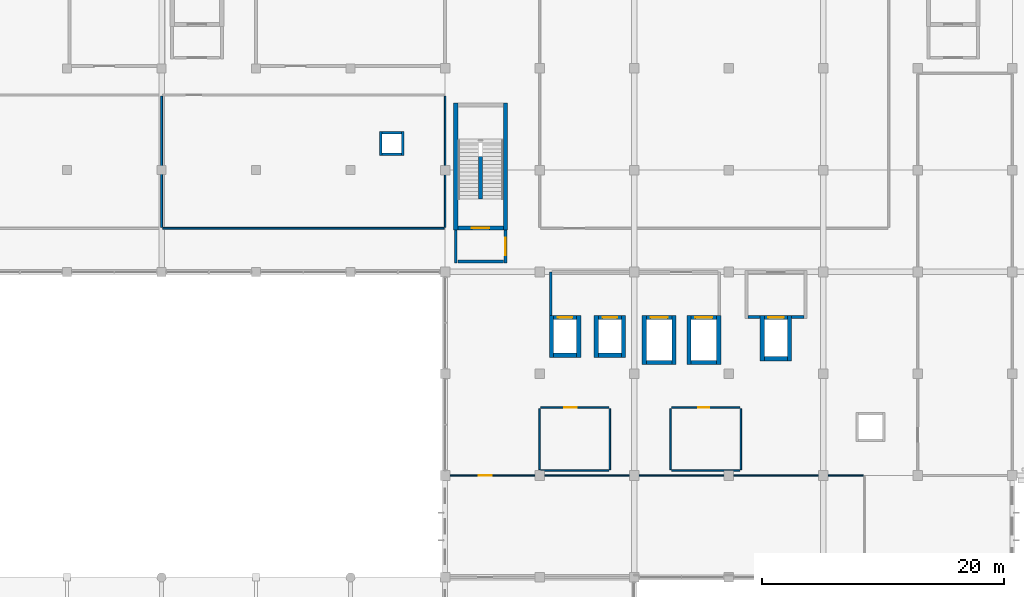
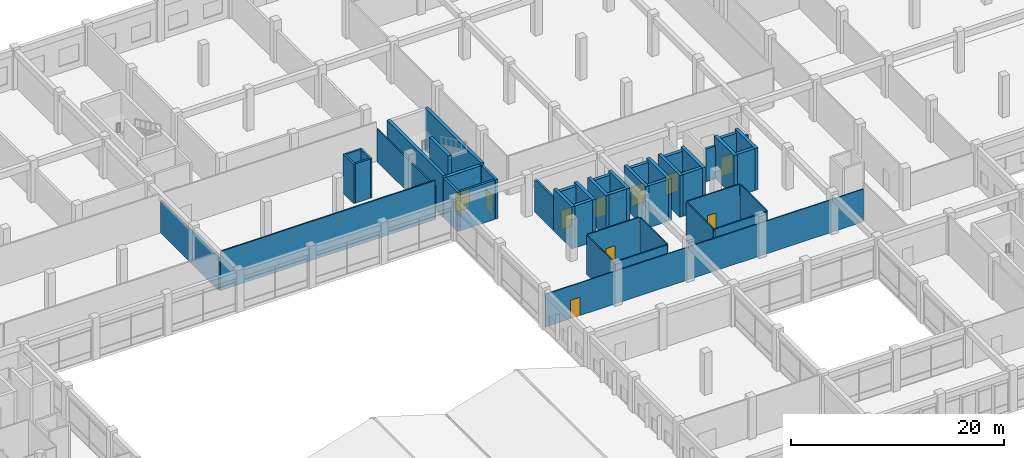
# One storey, part 43 of 62: 46 walls, 10 doors, 10 openings.
"""IFC4 building model written with IfcOpenShell, lengths in metres."""

import ifcopenshell
import ifcopenshell.guid

model = None  # the IFC model being written
_history = None  # IfcOwnerHistory: only IFC2X3 demands one
_inside = {}  # id of a spatial element -> (the spatial element, [elements in it])
_under = {}  # id of a project, library or spatial element -> (it, [spatial elements below it])
_declared = {}  # id of a project -> (the project, [libraries it declares])
_typed = {}  # id of a type object -> (the type object, [elements of that type])
_made_of = {}  # id of a material, layer set ... -> (it, [elements and type objects made of it])


def new_model(schema):
    """Start an empty IFC model of exactly this schema.

    Asked for "IFC4X3", IfcOpenShell would pick the latest addendum, in which some entities
    have other attributes; the version numbers below select the first issue.
    IFC2X3 requires an IfcOwnerHistory on every rooted entity: one is made here for all.
    """
    global model, _history
    if schema == "IFC4X3":
        model = ifcopenshell.file(schema_version=(4, 3, 0, 0))
    else:
        model = ifcopenshell.file(schema=schema)
    _inside.clear()
    _under.clear()
    _declared.clear()
    _typed.clear()
    _made_of.clear()
    _history = None
    if model.schema == "IFC2X3":
        org = make("IfcOrganization", Name="unknown")
        user = make(
            "IfcPersonAndOrganization",
            ThePerson=make("IfcPerson", FamilyName="unknown"),
            TheOrganization=org,
        )
        app = make(
            "IfcApplication",
            ApplicationDeveloper=org,
            Version="unknown",
            ApplicationFullName="unknown",
            ApplicationIdentifier="unknown",
        )
        _history = make(
            "IfcOwnerHistory",
            OwningUser=user,
            OwningApplication=app,
            ChangeAction="ADDED",
            CreationDate=0,
        )
    return model


def make(cls, **values):
    """One entity of the class cls with the attributes given. An attribute that is None is left unset."""
    return model.create_entity(
        cls, **{name: value for name, value in values.items() if value is not None}
    )


def rooted(cls, **values):
    """An entity with a GlobalId (a new one), such as an element, a storey or a relation."""
    return make(cls, GlobalId=ifcopenshell.guid.new(), OwnerHistory=_history, **values)


def si_unit(unit_type, name, prefix=None):
    """IfcSIUnit, for example si_unit("LENGTHUNIT", "METRE", prefix="MILLI")."""
    return make("IfcSIUnit", UnitType=unit_type, Prefix=prefix, Name=name)


def assignment(units):
    """IfcUnitAssignment: the units of a project."""
    return None if units is None else make("IfcUnitAssignment", Units=units)


def point(xyz):
    """IfcCartesianPoint."""
    return None if xyz is None else make("IfcCartesianPoint", Coordinates=xyz)


def direction(xyz):
    """IfcDirection."""
    return None if xyz is None else make("IfcDirection", DirectionRatios=xyz)


def frame(location, z_axis=None, x_axis=None):
    """IfcAxis2Placement3D, a coordinate frame: its origin and axes. An axis left out is left unset."""
    return make(
        "IfcAxis2Placement3D",
        Location=point(location),
        Axis=direction(z_axis),
        RefDirection=direction(x_axis),
    )


def frame_2d(location, x_axis=None):
    """IfcAxis2Placement2D, a coordinate frame in the plane: its origin and x axis."""
    return make(
        "IfcAxis2Placement2D", Location=point(location), RefDirection=direction(x_axis)
    )


def origin():
    """The frame at (0, 0, 0) with its axes left unset."""
    return frame((0.0, 0.0, 0.0))


def place(relative_to, where):
    """IfcLocalPlacement: puts the frame where relative to a parent placement (None: the world)."""
    return make(
        "IfcLocalPlacement", PlacementRelTo=relative_to, RelativePlacement=where
    )


def context(
    kind, dimensions, precision=None, world=None, true_north=None, identifier=None
):
    """IfcGeometricRepresentationContext, for example the 3D "Model" context."""
    return make(
        "IfcGeometricRepresentationContext",
        ContextIdentifier=identifier,
        ContextType=kind,
        CoordinateSpaceDimension=dimensions,
        Precision=precision,
        WorldCoordinateSystem=world,
        TrueNorth=true_north,
    )


def subcontext(parent, identifier, kind, view, scale=None):
    """IfcGeometricRepresentationSubContext, for example "Body" below "Model"."""
    return make(
        "IfcGeometricRepresentationSubContext",
        ContextIdentifier=identifier,
        ContextType=kind,
        ParentContext=parent,
        TargetScale=scale,
        TargetView=view,
    )


def project(units=None, contexts=None):
    """IfcProject with its units and contexts."""
    return rooted(
        "IfcProject",
        Name="project",
        RepresentationContexts=contexts,
        UnitsInContext=assignment(units),
    )


def spatial(cls, under=None, at=None, **own):
    """A site, building, storey or space (cls), placed at a placement, below another one or the project."""
    s = rooted(cls, ObjectPlacement=at, **own)
    if under is not None:
        _under.setdefault(under.id(), (under, []))[1].append(s)
    return s


def profile(cls, at=None, kind="AREA", **sizes):
    """A parametric profile (cls). Its sizes go by their IFC names, for example OverallWidth=200.0."""
    return make(cls, ProfileType=kind, Position=at, **sizes)


def rectangle(**sizes):
    """IfcRectangleProfileDef."""
    return profile("IfcRectangleProfileDef", **sizes)


def extrude(swept, where, along, depth):
    """IfcExtrudedAreaSolid: the profile swept, set in the frame where, extruded along a direction by depth."""
    return make(
        "IfcExtrudedAreaSolid",
        SweptArea=swept,
        Position=where,
        ExtrudedDirection=direction(along),
        Depth=depth,
    )


def shape(context_of_items, identifier, shape_type, items):
    """IfcShapeRepresentation: the items that make up one representation, for example the "Body"."""
    return make(
        "IfcShapeRepresentation",
        ContextOfItems=context_of_items,
        RepresentationIdentifier=identifier,
        RepresentationType=shape_type,
        Items=items,
    )


def material(Name=None, Category=None):
    """IfcMaterial."""
    return make("IfcMaterial", Name=Name, Category=Category)


def layer(
    of_material, thickness, ventilated=None, Name=None, Category=None, Priority=None
):
    """IfcMaterialLayer: one layer of a wall or slab, of a material (None: an air gap)."""
    return make(
        "IfcMaterialLayer",
        Material=of_material,
        LayerThickness=thickness,
        IsVentilated=ventilated,
        Name=Name,
        Category=Category,
        Priority=Priority,
    )


def layer_set(layers, Name=None):
    """IfcMaterialLayerSet."""
    return make("IfcMaterialLayerSet", MaterialLayers=layers, LayerSetName=Name)


def made_of(thing, what):
    """Note that an element or type object is made of a material, layer set ...; save() writes the relation."""
    if what is not None:
        _made_of.setdefault(what.id(), (what, []))[1].append(thing)
    return thing


def type_object(cls, material=None, **own):
    """A type object (cls), such as IfcWallType, which elements share."""
    return made_of(rooted(cls, **own), material)


def element(
    cls,
    number,
    at=None,
    inside=None,
    cuts=None,
    type_object=None,
    material=None,
    context=None,
    identifier="Body",
    shape_type=None,
    held_by="IfcProductDefinitionShape",
    body=None,
    shapes=None,
    **own,
):
    """One element of the class cls, such as IfcWall. Its Tag is "e" and its number.

    at: its placement. inside: the storey or other place that contains it. cuts: it is an
    opening in that element (IfcRelVoidsElement). A single representation is given by context,
    identifier, shape_type and body (its items); several are given by shapes. held_by: the class
    of the entity that holds the representations. save() writes the other relations.
    """
    e = rooted(cls, Tag="e%d" % number, ObjectPlacement=at, **own)
    if body is not None:
        shapes = [shape(context, identifier, shape_type, body)]
    if shapes is not None:
        e.Representation = make(held_by, Representations=shapes)
    if inside is not None:
        _inside.setdefault(inside.id(), (inside, []))[1].append(e)
    if cuts is not None:
        rooted(
            "IfcRelVoidsElement", RelatingBuildingElement=cuts, RelatedOpeningElement=e
        )
    if type_object is not None:
        _typed.setdefault(type_object.id(), (type_object, []))[1].append(e)
    return made_of(e, material)


def fill(opening, filler):
    """IfcRelFillsElement: the door or window that sits in an opening."""
    return rooted(
        "IfcRelFillsElement",
        RelatingOpeningElement=opening,
        RelatedBuildingElement=filler,
    )


def aggregate(whole, parts):
    """IfcRelAggregates: a whole, such as a stair, and the parts it consists of."""
    return rooted("IfcRelAggregates", RelatingObject=whole, RelatedObjects=parts)


def save(model, path):
    """Write the relations noted so far, then the file.

    IfcRelAggregates (storeys below a building ...), IfcRelContainedInSpatialStructure (elements
    in a storey), IfcRelDefinesByType, IfcRelAssociatesMaterial and IfcRelDeclares: one each for
    every whole, place, type object, material and project.
    """
    for whole, parts in _under.values():
        aggregate(whole, parts)
    for where, things in _inside.values():
        rooted(
            "IfcRelContainedInSpatialStructure",
            RelatedElements=things,
            RelatingStructure=where,
        )
    for kind, things in _typed.values():
        rooted("IfcRelDefinesByType", RelatedObjects=things, RelatingType=kind)
    for what, things in _made_of.values():
        rooted("IfcRelAssociatesMaterial", RelatedObjects=things, RelatingMaterial=what)
    for by, libraries in _declared.values():
        rooted("IfcRelDeclares", RelatingContext=by, RelatedDefinitions=libraries)
    model.write(path)


model = new_model("IFC4")

# Units and contexts
model_context = context("Model", 3, precision=1e-05, world=origin(), true_north=direction((0.0, 1.0)))
body_context = subcontext(model_context, "Body", "Model", "MODEL_VIEW")
ifc_project = project(units=[si_unit("LENGTHUNIT", "METRE"), si_unit("AREAUNIT", "SQUARE_METRE"), si_unit("VOLUMEUNIT", "CUBIC_METRE"), si_unit("PLANEANGLEUNIT", "RADIAN"), si_unit("MASSUNIT", "GRAM", prefix="KILO"), si_unit("THERMODYNAMICTEMPERATUREUNIT", "KELVIN"), si_unit("POWERUNIT", "WATT")], contexts=[model_context])

# Site, building, storey
site_placement = place(None, origin())
site = spatial("IfcSite", under=ifc_project, at=site_placement, CompositionType="ELEMENT")
building_placement = place(site_placement, origin())
building = spatial("IfcBuilding", under=site, at=building_placement, Name="Srebrne Nadtorze General Hospital", CompositionType="ELEMENT")
storey_placement = place(building_placement, frame((0.0, 0.0, 9.60009765625)))
storey = spatial("IfcBuildingStorey", under=building, at=storey_placement, Name="L02", CompositionType="ELEMENT", Elevation=9.60009765625)

# Walls
ifc_material_1 = material(Name="Gypsum Healthcare Partition")
ifc_layer_1 = layer(ifc_material_1, 0.139892578125)
ifc_layer_set_1 = layer_set([ifc_layer_1], Name="Gypsum Healthcare Partition")
wall_type_1 = type_object("IfcWallType", Name="Clinical partition 140", PredefinedType="PARTITIONING", material=ifc_layer_set_1)
wall_1_placement = place(storey_placement, frame((78.0849609375, 54.0, 0.0), z_axis=(0.0, 0.0, 1.0), x_axis=(1.0, 0.0, 0.0)))
element("IfcWall", 1, at=wall_1_placement, inside=storey, type_object=wall_type_1, Name="Pre-Operative Holding Ward wall WL-INT-L02-1528", PredefinedType="PARTITIONING", context=body_context, shape_type="SweptSolid", body=[
    extrude(rectangle(XDim=23.22998046875, YDim=0.139892578125, at=frame_2d((11.614990234375, 0.0))), origin(), (0.0, 0.0, 1.0), 4.47998046875),
])
wall_2_placement = place(storey_placement, frame((101.39990234375, 54.0849609375, 0.0), z_axis=(0.0, 0.0, 1.0), x_axis=(0.0, 1.0, 0.0)))
element("IfcWall", 2, at=wall_2_placement, inside=storey, type_object=wall_type_1, Name="Pre-Operative Holding Ward wall WL-INT-L02-1529", PredefinedType="PARTITIONING", context=body_context, shape_type="SweptSolid", body=[
    extrude(rectangle(XDim=10.830078125, YDim=0.139892578125, at=frame_2d((5.4150390625, 0.0))), origin(), (0.0, 0.0, 1.0), 3.75),
])
ifc_material_2 = material(Name="Gypsum Healthcare Partition")
ifc_layer_2 = layer(ifc_material_2, 0.159912109375)
ifc_layer_set_2 = layer_set([ifc_layer_2], Name="Gypsum Healthcare Partition")
wall_type_2 = type_object("IfcWallType", Name="Clinical partition 160", PredefinedType="PARTITIONING", material=ifc_layer_set_2)
wall_3_placement = place(storey_placement, frame((78.0, 54.0849609375, 0.0), z_axis=(0.0, 0.0, 1.0), x_axis=(0.0, 1.0, 0.0)))
element("IfcWall", 3, at=wall_3_placement, inside=storey, type_object=wall_type_2, Name="Post-Anaesthesia Care Unit wall WL-INT-L02-1526", PredefinedType="PARTITIONING", context=body_context, shape_type="SweptSolid", body=[
    extrude(rectangle(XDim=10.830078125, YDim=0.159912109375, at=frame_2d((5.4150390625, 0.0))), origin(), (0.0, 0.0, 1.0), 3.75),
])
ifc_material_3 = material(Name="Gypsum Healthcare Partition")
ifc_layer_3 = layer(ifc_material_3, 0.199951171875)
ifc_layer_set_3 = layer_set([ifc_layer_3], Name="Gypsum Healthcare Partition")
wall_type_3 = type_object("IfcWallType", Name="Compartment wall 200", PredefinedType="STANDARD", material=ifc_layer_set_3)
wall_4_placement = place(storey_placement, frame((110.1298828125, 46.81005859375, 0.0), z_axis=(0.0, 0.0, 1.0), x_axis=(0.0, 1.0, 0.0)))
element("IfcWall", 4, at=wall_4_placement, inside=storey, type_object=wall_type_3, Name="Lift lobby side wall WL-INT-L02-0999", PredefinedType="STANDARD", context=body_context, shape_type="SweptSolid", body=[
    extrude(rectangle(XDim=3.58984375, YDim=0.199951171875, at=frame_2d((1.794921875, 0.0))), origin(), (0.0, 0.0, 1.0), 3.75),
])
for number, where, z_axis, x_axis, name in (
    (5, (96.10009765625, 60.0, 0.0), (0.0, 0.0, 1.0), (0.0, 1.0, 0.0), "MEP riser wall WL-INT-L02-1018"),
    (6, (97.89990234375, 60.0, 0.0), (0.0, 0.0, 1.0), (0.0, 1.0, 0.0), "MEP riser wall WL-INT-L02-1019"),
):
    element("IfcWall", number, at=place(storey_placement, frame(where, z_axis=z_axis, x_axis=x_axis)), inside=storey, type_object=wall_type_3, Name=name, PredefinedType="STANDARD", context=body_context, shape_type="SweptSolid", body=[
        extrude(rectangle(XDim=2.0, YDim=0.199951171875, at=frame_2d((1.0, 0.0))), origin(), (0.0, 0.0, 1.0), 4.5),
    ])
for number, where, z_axis, x_axis, name in (
    (7, (96.199951171875, 60.10009765625, 0.0), (0.0, 0.0, 1.0), (1.0, 0.0, 0.0), "MEP riser wall WL-INT-L02-1020"),
    (8, (96.199951171875, 61.89990234375, 0.0), (0.0, 0.0, 1.0), (1.0, 0.0, 0.0), "MEP riser wall WL-INT-L02-1021"),
):
    element("IfcWall", number, at=place(storey_placement, frame(where, z_axis=z_axis, x_axis=x_axis)), inside=storey, type_object=wall_type_3, Name=name, PredefinedType="STANDARD", context=body_context, shape_type="SweptSolid", body=[
        extrude(rectangle(XDim=1.60009765625, YDim=0.199951171875, at=frame_2d((0.800048828125, 0.0))), origin(), (0.0, 0.0, 1.0), 4.5),
    ])
ifc_material_4 = material(Name="Gypsum Healthcare Partition")
ifc_layer_4 = layer(ifc_material_4, 0.239990234375)
ifc_layer_set_4 = layer_set([ifc_layer_4], Name="Gypsum Healthcare Partition")
wall_type_4 = type_object("IfcWallType", Name="Corridor fire wall 240", PredefinedType="STANDARD", material=ifc_layer_set_4)
wall_5_placement = place(storey_placement, frame((102.27490234375, 51.155029296875, 0.0), z_axis=(0.0, 0.0, 1.0), x_axis=(0.0, 1.0, 0.0)))
element("IfcWall", 9, at=wall_5_placement, inside=storey, type_object=wall_type_4, Name="Fire lobby wall ST-03 WL-INT-L02-0213", PredefinedType="STANDARD", context=body_context, shape_type="SweptSolid", body=[
    extrude(rectangle(XDim=2.695068359375, YDim=0.239990234375, at=frame_2d((1.34765625, 0.0))), origin(), (0.0, 0.0, 1.0), 4.5),
])

# Wall, opening, door
wall_6_placement = place(storey_placement, frame((106.375, 51.155029296875, 0.0), z_axis=(0.0, 0.0, 1.0), x_axis=(0.0, 1.0, 0.0)))
wall_6 = element("IfcWall", 10, at=wall_6_placement, inside=storey, type_object=wall_type_4, Name="Fire lobby wall ST-03 WL-INT-L02-0214", PredefinedType="STANDARD", context=body_context, shape_type="SweptSolid", body=[
    extrude(rectangle(XDim=2.695068359375, YDim=0.239990234375, at=frame_2d((1.34765625, 0.0))), origin(), (0.0, 0.0, 1.0), 4.5),
])
opening_1_placement = place(wall_6_placement, frame((0.62255859375, 0.0, 0.0)))
opening_1 = element("IfcOpeningElement", 11, at=opening_1_placement, cuts=wall_6, Name="Opening D-L02-0054", PredefinedType="OPENING", context=body_context, shape_type="SweptSolid", body=[
    extrude(rectangle(XDim=1.449951171875, YDim=2.199951171875, at=frame_2d((0.72509765625, 1.10009765625))), frame((0.0, 0.1318359375, 0.0), z_axis=(0.0, -1.0, 0.0), x_axis=(1.0, 0.0, 0.0)), (0.0, 0.0, 1.0), 0.263916015625),
])
ifc_material_5 = material(Name="Anodised Aluminium", Category="aluminium")
door_type_1 = type_object("IfcDoorType", Name="Double leaf door 1450x2200", OperationType="DOUBLE_DOOR_SINGLE_SWING", PredefinedType="DOOR", material=ifc_material_5)
door_1_placement = place(opening_1_placement, origin())
door_1 = element("IfcDoor", 12, at=door_1_placement, inside=storey, type_object=door_type_1, Name="Fire lobby door ST-03 D-L02-0054", OperationType="DOUBLE_DOOR_SINGLE_SWING", OverallHeight=2.199951171875, OverallWidth=1.449951171875, PredefinedType="DOOR", context=body_context, shape_type="SweptSolid", body=[
    extrude(rectangle(XDim=1.449951171875, YDim=2.199951171875, at=frame_2d((0.72509765625, 1.10009765625))), frame((0.0, 0.02490234375, 0.0), z_axis=(0.0, -1.0, 0.0), x_axis=(1.0, 0.0, 0.0)), (0.0, 0.0, 1.0), 0.050048828125),
])
fill(opening_1, door_1)

# Walls
wall_7_placement = place(storey_placement, frame((102.449951171875, 51.27490234375, 0.0), z_axis=(0.0, 0.0, 1.0), x_axis=(1.0, 0.0, 0.0)))
element("IfcWall", 13, at=wall_7_placement, inside=storey, type_object=wall_type_4, Name="Fire lobby entry wall ST-03 WL-INT-L02-0215", PredefinedType="STANDARD", context=body_context, shape_type="SweptSolid", body=[
    extrude(rectangle(XDim=3.75, YDim=0.239990234375, at=frame_2d((1.875, 0.0))), origin(), (0.0, 0.0, 1.0), 4.5),
])
for number, where, z_axis, x_axis, name in (
    (14, (126.39990234375, 46.68994140625, 0.0), (0.0, 0.0, 1.0), (1.0, 0.0, 0.0), "FF lift lobby return wall WL-INT-L02-0996"),
    (15, (130.0, 46.68994140625, 0.0), (0.0, 0.0, 1.0), (1.0, 0.0, 0.0), "FF lift lobby return wall WL-INT-L02-0997"),
):
    element("IfcWall", number, at=place(storey_placement, frame(where, z_axis=z_axis, x_axis=x_axis)), inside=storey, type_object=wall_type_4, Name=name, PredefinedType="STANDARD", context=body_context, shape_type="SweptSolid", body=[
        extrude(rectangle(XDim=1.0, YDim=0.239990234375, at=frame_2d((0.5, 0.0))), origin(), (0.0, 0.0, 1.0), 3.75),
    ])

# Wall, opening, door
ifc_material_6 = material(Name="Gypsum Healthcare Partition")
ifc_layer_5 = layer(ifc_material_6, 0.1201171875)
ifc_layer_set_5 = layer_set([ifc_layer_5], Name="Gypsum Healthcare Partition")
wall_type_5 = type_object("IfcWallType", Name="En-suite partition 120", PredefinedType="PARTITIONING", material=ifc_layer_set_5)
wall_8_placement = place(storey_placement, frame((109.284912109375, 39.199951171875, 0.0), z_axis=(0.0, 0.0, 1.0), x_axis=(1.0, 0.0, 0.0)))
wall_8 = element("IfcWall", 16, at=wall_8_placement, inside=storey, type_object=wall_type_5, Name="Public WC wall WL-INT-L02-1580", PredefinedType="PARTITIONING", context=body_context, shape_type="SweptSolid", body=[
    extrude(rectangle(XDim=5.630126953125, YDim=0.1201171875, at=frame_2d((2.81494140625, 0.0))), origin(), (0.0, 0.0, 1.0), 4.47998046875),
])
opening_2_placement = place(wall_8_placement, frame((1.96240234375, 0.0, 0.0)))
opening_2 = element("IfcOpeningElement", 17, at=opening_2_placement, cuts=wall_8, Name="Opening D-L02-0259", PredefinedType="OPENING", context=body_context, shape_type="SweptSolid", body=[
    extrude(rectangle(XDim=1.02001953125, YDim=2.14990234375, at=frame_2d((0.510009765625, 1.074951171875))), frame((0.0, 0.072021484375, 0.0), z_axis=(0.0, -1.0, 0.0), x_axis=(1.0, 0.0, 0.0)), (0.0, 0.0, 1.0), 0.14404296875),
])
ifc_material_7 = material(Name="Anodised Aluminium", Category="aluminium")
door_type_2 = type_object("IfcDoorType", Name="Single leaf door 1020x2150", OperationType="NOTDEFINED", PredefinedType="DOOR", material=ifc_material_7)
door_2_placement = place(opening_2_placement, frame((1.02001953125, 0.0, 0.0), z_axis=(0.0, 0.0, 1.0), x_axis=(-1.0, 0.0, 0.0)))
door_2 = element("IfcDoor", 18, at=door_2_placement, inside=storey, type_object=door_type_2, Name="Public WC door D-L02-0259", OperationType="SINGLE_SWING_RIGHT", OverallHeight=2.14990234375, OverallWidth=1.02001953125, PredefinedType="DOOR", context=body_context, shape_type="SweptSolid", body=[
    extrude(rectangle(XDim=1.02001953125, YDim=2.14990234375, at=frame_2d((0.510009765625, 1.074951171875))), frame((0.0, 0.02490234375, 0.0), z_axis=(0.0, -1.0, 0.0), x_axis=(1.0, 0.0, 0.0)), (0.0, 0.0, 1.0), 0.050048828125),
])
fill(opening_2, door_2)

# Walls
wall_9_placement = place(storey_placement, frame((109.284912109375, 34.0, 0.0), z_axis=(0.0, 0.0, 1.0), x_axis=(1.0, 0.0, 0.0)))
element("IfcWall", 19, at=wall_9_placement, inside=storey, type_object=wall_type_5, Name="Public WC wall WL-INT-L02-1581", PredefinedType="PARTITIONING", context=body_context, shape_type="SweptSolid", body=[
    extrude(rectangle(XDim=5.630126953125, YDim=0.1201171875, at=frame_2d((2.81494140625, 0.0))), origin(), (0.0, 0.0, 1.0), 4.47998046875),
])
for number, where, z_axis, x_axis, name in (
    (20, (109.199951171875, 34.0849609375, 0.0), (0.0, 0.0, 1.0), (0.0, 1.0, 0.0), "Public WC wall WL-INT-L02-1582"),
    (21, (115.0, 34.0849609375, 0.0), (0.0, 0.0, 1.0), (0.0, 1.0, 0.0), "Public WC wall WL-INT-L02-1583"),
):
    element("IfcWall", number, at=place(storey_placement, frame(where, z_axis=z_axis, x_axis=x_axis)), inside=storey, type_object=wall_type_5, Name=name, PredefinedType="PARTITIONING", context=body_context, shape_type="SweptSolid", body=[
        extrude(rectangle(XDim=5.030029296875, YDim=0.1201171875, at=frame_2d((2.51513671875, 0.0))), origin(), (0.0, 0.0, 1.0), 4.47998046875),
    ])

# Wall, opening, door
wall_10_placement = place(storey_placement, frame((120.0849609375, 39.199951171875, 0.0), z_axis=(0.0, 0.0, 1.0), x_axis=(1.0, 0.0, 0.0)))
wall_10 = element("IfcWall", 22, at=wall_10_placement, inside=storey, type_object=wall_type_5, Name="Staff WC wall WL-INT-L02-1584", PredefinedType="PARTITIONING", context=body_context, shape_type="SweptSolid", body=[
    extrude(rectangle(XDim=5.630126953125, YDim=0.1201171875, at=frame_2d((2.81494140625, 0.0))), origin(), (0.0, 0.0, 1.0), 4.47998046875),
])
opening_3_placement = place(wall_10_placement, frame((2.193115234375, 0.0, 0.0)))
opening_3 = element("IfcOpeningElement", 23, at=opening_3_placement, cuts=wall_10, Name="Opening D-L02-0260", PredefinedType="OPENING", context=body_context, shape_type="SweptSolid", body=[
    extrude(rectangle(XDim=0.919921875, YDim=2.080078125, at=frame_2d((0.4599609375, 1.0400390625))), frame((0.0, 0.072021484375, 0.0), z_axis=(0.0, -1.0, 0.0), x_axis=(1.0, 0.0, 0.0)), (0.0, 0.0, 1.0), 0.14404296875),
])
ifc_material_8 = material(Name="Anodised Aluminium", Category="aluminium")
door_type_3 = type_object("IfcDoorType", Name="Single leaf door 920x2080", OperationType="NOTDEFINED", PredefinedType="DOOR", material=ifc_material_8)
door_3_placement = place(opening_3_placement, frame((0.919921875, 0.0, 0.0), z_axis=(0.0, 0.0, 1.0), x_axis=(-1.0, 0.0, 0.0)))
door_3 = element("IfcDoor", 24, at=door_3_placement, inside=storey, type_object=door_type_3, Name="Staff WC door D-L02-0260", OperationType="SINGLE_SWING_LEFT", OverallHeight=2.080078125, OverallWidth=0.919921875, PredefinedType="DOOR", context=body_context, shape_type="SweptSolid", body=[
    extrude(rectangle(XDim=0.919921875, YDim=2.080078125, at=frame_2d((0.4599609375, 1.0400390625))), frame((0.0, 0.02490234375, 0.0), z_axis=(0.0, -1.0, 0.0), x_axis=(1.0, 0.0, 0.0)), (0.0, 0.0, 1.0), 0.050048828125),
])
fill(opening_3, door_3)

# Walls
wall_11_placement = place(storey_placement, frame((120.0849609375, 34.0, 0.0), z_axis=(0.0, 0.0, 1.0), x_axis=(1.0, 0.0, 0.0)))
element("IfcWall", 25, at=wall_11_placement, inside=storey, type_object=wall_type_5, Name="Staff WC wall WL-INT-L02-1585", PredefinedType="PARTITIONING", context=body_context, shape_type="SweptSolid", body=[
    extrude(rectangle(XDim=5.630126953125, YDim=0.1201171875, at=frame_2d((2.81494140625, 0.0))), origin(), (0.0, 0.0, 1.0), 4.47998046875),
])
for number, where, z_axis, x_axis, name in (
    (26, (120.0, 34.0849609375, 0.0), (0.0, 0.0, 1.0), (0.0, 1.0, 0.0), "Staff WC wall WL-INT-L02-1586"),
    (27, (125.800048828125, 34.0849609375, 0.0), (0.0, 0.0, 1.0), (0.0, 1.0, 0.0), "Staff WC wall WL-INT-L02-1587"),
):
    element("IfcWall", number, at=place(storey_placement, frame(where, z_axis=z_axis, x_axis=x_axis)), inside=storey, type_object=wall_type_5, Name=name, PredefinedType="PARTITIONING", context=body_context, shape_type="SweptSolid", body=[
        extrude(rectangle(XDim=5.030029296875, YDim=0.1201171875, at=frame_2d((2.51513671875, 0.0))), origin(), (0.0, 0.0, 1.0), 4.47998046875),
    ])

# Wall, opening, door
ifc_material_9 = material(Name="Gypsum Healthcare Partition")
ifc_layer_6 = layer(ifc_material_9, 0.10009765625)
ifc_layer_set_6 = layer_set([ifc_layer_6], Name="Gypsum Healthcare Partition")
wall_type_6 = type_object("IfcWallType", Name="Shaft lining wall 100", PredefinedType="PARTITIONING", material=ifc_layer_set_6)
wall_12_placement = place(storey_placement, frame((101.485107421875, 33.60009765625, 0.0), z_axis=(0.0, 0.0, 1.0), x_axis=(1.0, 0.0, 0.0)))
wall_12 = element("IfcWall", 28, at=wall_12_placement, inside=storey, type_object=wall_type_6, Name="Outpatient Maternal Fetal Medicine Clinic wall WL-INT-L02-1567", PredefinedType="PARTITIONING", context=body_context, shape_type="SweptSolid", body=[
    extrude(rectangle(XDim=34.429931640625, YDim=0.10009765625, at=frame_2d((17.21484375, 0.0))), origin(), (0.0, 0.0, 1.0), 3.75),
])
opening_4_placement = place(wall_12_placement, frame((2.698486328125, 0.0, 0.0)))
opening_4 = element("IfcOpeningElement", 29, at=opening_4_placement, cuts=wall_12, Name="Opening D-L02-0255", PredefinedType="OPENING", context=body_context, shape_type="SweptSolid", body=[
    extrude(rectangle(XDim=1.050048828125, YDim=2.10009765625, at=frame_2d((0.52490234375, 1.050048828125))), frame((0.0, 0.06201171875, 0.0), z_axis=(0.0, -1.0, 0.0), x_axis=(1.0, 0.0, 0.0)), (0.0, 0.0, 1.0), 0.1240234375),
])
ifc_material_10 = material(Name="Anodised Aluminium", Category="aluminium")
door_type_4 = type_object("IfcDoorType", Name="Single leaf door 1050x2100", OperationType="NOTDEFINED", PredefinedType="DOOR", material=ifc_material_10)
door_4_placement = place(opening_4_placement, frame((1.050048828125, 0.0, 0.0), z_axis=(0.0, 0.0, 1.0), x_axis=(-1.0, 0.0, 0.0)))
door_4 = element("IfcDoor", 30, at=door_4_placement, inside=storey, type_object=door_type_4, Name="Outpatient Maternal Fetal Medicine Clinic door D-L02-0255", OperationType="SINGLE_SWING_RIGHT", OverallHeight=2.10009765625, OverallWidth=1.050048828125, PredefinedType="DOOR", context=body_context, shape_type="SweptSolid", body=[
    extrude(rectangle(XDim=1.050048828125, YDim=2.10009765625, at=frame_2d((0.52490234375, 1.050048828125))), frame((0.0, 0.02490234375, 0.0), z_axis=(0.0, -1.0, 0.0), x_axis=(1.0, 0.0, 0.0)), (0.0, 0.0, 1.0), 0.050048828125),
])
fill(opening_4, door_4)

# Walls
ifc_material_11 = material(Name="Concrete C40/50", Category="concrete")
ifc_layer_7 = layer(ifc_material_11, 0.35009765625)
ifc_layer_set_7 = layer_set([ifc_layer_7], Name="Concrete C40/50")
wall_type_7 = type_object("IfcWallType", Name="Shear core wall 350", PredefinedType="SHEAR", material=ifc_layer_set_7)
for number, where, z_axis, x_axis, name in (
    (31, (102.27490234375, 53.85009765625, 0.0), (0.0, 0.0, 1.0), (0.0, 1.0, 0.0), "Stair core wall ST-03 WL-INT-L02-0209"),
    (32, (106.375, 53.85009765625, 0.0), (0.0, 0.0, 1.0), (0.0, 1.0, 0.0), "Stair core wall ST-03 WL-INT-L02-0210"),
):
    element("IfcWall", number, at=place(storey_placement, frame(where, z_axis=z_axis, x_axis=x_axis)), inside=storey, type_object=wall_type_7, Name=name, PredefinedType="SHEAR", context=body_context, shape_type="SweptSolid", body=[
        extrude(rectangle(XDim=10.5, YDim=0.35009765625, at=frame_2d((5.25, 0.0))), origin(), (0.0, 0.0, 1.0), 4.7998046875),
    ])

# Wall, opening, door
wall_13_placement = place(storey_placement, frame((102.449951171875, 54.02490234375, 0.0), z_axis=(0.0, 0.0, 1.0), x_axis=(1.0, 0.0, 0.0)))
wall_13 = element("IfcWall", 33, at=wall_13_placement, inside=storey, type_object=wall_type_7, Name="Stairwell fire wall ST-03 WL-INT-L02-0212", PredefinedType="SHEAR", context=body_context, shape_type="SweptSolid", body=[
    extrude(rectangle(XDim=3.75, YDim=0.35009765625, at=frame_2d((1.875, 0.0))), origin(), (0.0, 0.0, 1.0), 4.5),
])
opening_5_placement = place(wall_13_placement, frame((1.14990234375, 0.0, 0.0)))
opening_5 = element("IfcOpeningElement", 34, at=opening_5_placement, cuts=wall_13, Name="Opening D-L02-0053", PredefinedType="OPENING", context=body_context, shape_type="SweptSolid", body=[
    extrude(rectangle(XDim=1.449951171875, YDim=2.199951171875, at=frame_2d((0.72509765625, 1.10009765625))), frame((0.0, 0.18701171875, 0.0), z_axis=(0.0, -1.0, 0.0), x_axis=(1.0, 0.0, 0.0)), (0.0, 0.0, 1.0), 0.3740234375),
])
door_5_placement = place(opening_5_placement, origin())
door_5 = element("IfcDoor", 35, at=door_5_placement, inside=storey, type_object=door_type_1, Name="Protected stair door ST-03 D-L02-0053", OperationType="DOUBLE_DOOR_SINGLE_SWING", OverallHeight=2.199951171875, OverallWidth=1.449951171875, PredefinedType="DOOR", context=body_context, shape_type="SweptSolid", body=[
    extrude(rectangle(XDim=1.449951171875, YDim=2.199951171875, at=frame_2d((0.72509765625, 1.10009765625))), frame((0.0, 0.02490234375, 0.0), z_axis=(0.0, -1.0, 0.0), x_axis=(1.0, 0.0, 0.0)), (0.0, 0.0, 1.0), 0.050048828125),
])
fill(opening_5, door_5)

# Walls
wall_14_placement = place(storey_placement, frame((104.324951171875, 56.39990234375, 0.0), z_axis=(0.0, 0.0, 1.0), x_axis=(0.0, 1.0, 0.0)))
element("IfcWall", 36, at=wall_14_placement, inside=storey, type_object=wall_type_7, Name="Stair spine wall ST-03 WL-INT-L02-0216", PredefinedType="SHEAR", context=body_context, shape_type="SweptSolid", body=[
    extrude(rectangle(XDim=3.52001953125, YDim=0.35009765625, at=frame_2d((1.760009765625, 0.0))), origin(), (0.0, 0.0, 1.0), 4.7998046875),
])
for number, where, z_axis, x_axis, name in (
    (37, (110.175048828125, 43.360107421875, 0.0), (0.0, 0.0, 1.0), (0.0, 1.0, 0.0), "Lift shaft wall LP-03 WL-INT-L02-0710"),
    (38, (112.425048828125, 43.360107421875, 0.0), (0.0, 0.0, 1.0), (0.0, 1.0, 0.0), "Lift shaft wall LP-03 WL-INT-L02-0711"),
):
    element("IfcWall", number, at=place(storey_placement, frame(where, z_axis=z_axis, x_axis=x_axis)), inside=storey, type_object=wall_type_7, Name=name, PredefinedType="SHEAR", context=body_context, shape_type="SweptSolid", body=[
        extrude(rectangle(XDim=3.449951171875, YDim=0.35009765625, at=frame_2d((1.72509765625, 0.0))), origin(), (0.0, 0.0, 1.0), 4.7998046875),
    ])
wall_15_placement = place(storey_placement, frame((110.35009765625, 43.534912109375, 0.0), z_axis=(0.0, 0.0, 1.0), x_axis=(1.0, 0.0, 0.0)))
element("IfcWall", 39, at=wall_15_placement, inside=storey, type_object=wall_type_7, Name="Lift shaft back wall LP-03 WL-INT-L02-0712", PredefinedType="SHEAR", context=body_context, shape_type="SweptSolid", body=[
    extrude(rectangle(XDim=1.89990234375, YDim=0.35009765625, at=frame_2d((0.949951171875, 0.0))), origin(), (0.0, 0.0, 1.0), 4.7998046875),
])

# Wall, opening, door
wall_16_placement = place(storey_placement, frame((110.35009765625, 46.635009765625, 0.0), z_axis=(0.0, 0.0, 1.0), x_axis=(1.0, 0.0, 0.0)))
wall_16 = element("IfcWall", 40, at=wall_16_placement, inside=storey, type_object=wall_type_7, Name="Lift shaft front wall LP-03 WL-INT-L02-0713", PredefinedType="SHEAR", context=body_context, shape_type="SweptSolid", body=[
    extrude(rectangle(XDim=1.89990234375, YDim=0.35009765625, at=frame_2d((0.949951171875, 0.0))), origin(), (0.0, 0.0, 1.0), 4.5),
])
opening_6_placement = place(wall_16_placement, frame((0.35009765625, 0.0, 0.0)))
opening_6 = element("IfcOpeningElement", 41, at=opening_6_placement, cuts=wall_16, Name="Opening LD-L02-062", PredefinedType="OPENING", context=body_context, shape_type="SweptSolid", body=[
    extrude(rectangle(XDim=1.199951171875, YDim=2.199951171875, at=frame_2d((0.60009765625, 1.10009765625))), frame((0.0, 0.18701171875, 0.0), z_axis=(0.0, -1.0, 0.0), x_axis=(1.0, 0.0, 0.0)), (0.0, 0.0, 1.0), 0.3740234375),
])
ifc_material_12 = material(Name="Anodised Aluminium", Category="aluminium")
door_type_5 = type_object("IfcDoorType", Name="Sliding lift door 1200x2200", OperationType="SLIDING_TO_LEFT", PredefinedType="DOOR", material=ifc_material_12)
door_6_placement = place(opening_6_placement, origin())
door_6 = element("IfcDoor", 42, at=door_6_placement, inside=storey, type_object=door_type_5, Name="Lift Landing Door LD-L02-062", OperationType="SLIDING_TO_LEFT", OverallHeight=2.199951171875, OverallWidth=1.199951171875, PredefinedType="DOOR", context=body_context, shape_type="SweptSolid", body=[
    extrude(rectangle(XDim=1.199951171875, YDim=2.199951171875, at=frame_2d((0.60009765625, 1.10009765625))), frame((0.0, 0.02490234375, 0.0), z_axis=(0.0, -1.0, 0.0), x_axis=(1.0, 0.0, 0.0)), (0.0, 0.0, 1.0), 0.050048828125),
])
fill(opening_6, door_6)

# Walls
for number, where, z_axis, x_axis, name in (
    (43, (113.875, 43.360107421875, 0.0), (0.0, 0.0, 1.0), (0.0, 1.0, 0.0), "Lift shaft wall LP-04 WL-INT-L02-0742"),
    (44, (116.125, 43.360107421875, 0.0), (0.0, 0.0, 1.0), (0.0, 1.0, 0.0), "Lift shaft wall LP-04 WL-INT-L02-0743"),
):
    element("IfcWall", number, at=place(storey_placement, frame(where, z_axis=z_axis, x_axis=x_axis)), inside=storey, type_object=wall_type_7, Name=name, PredefinedType="SHEAR", context=body_context, shape_type="SweptSolid", body=[
        extrude(rectangle(XDim=3.449951171875, YDim=0.35009765625, at=frame_2d((1.72509765625, 0.0))), origin(), (0.0, 0.0, 1.0), 4.7998046875),
    ])
wall_17_placement = place(storey_placement, frame((114.050048828125, 43.534912109375, 0.0), z_axis=(0.0, 0.0, 1.0), x_axis=(1.0, 0.0, 0.0)))
element("IfcWall", 45, at=wall_17_placement, inside=storey, type_object=wall_type_7, Name="Lift shaft back wall LP-04 WL-INT-L02-0744", PredefinedType="SHEAR", context=body_context, shape_type="SweptSolid", body=[
    extrude(rectangle(XDim=1.89990234375, YDim=0.35009765625, at=frame_2d((0.949951171875, 0.0))), origin(), (0.0, 0.0, 1.0), 4.7998046875),
])

# Wall, opening, door
wall_18_placement = place(storey_placement, frame((114.050048828125, 46.635009765625, 0.0), z_axis=(0.0, 0.0, 1.0), x_axis=(1.0, 0.0, 0.0)))
wall_18 = element("IfcWall", 46, at=wall_18_placement, inside=storey, type_object=wall_type_7, Name="Lift shaft front wall LP-04 WL-INT-L02-0745", PredefinedType="SHEAR", context=body_context, shape_type="SweptSolid", body=[
    extrude(rectangle(XDim=1.89990234375, YDim=0.35009765625, at=frame_2d((0.949951171875, 0.0))), origin(), (0.0, 0.0, 1.0), 4.5),
])
opening_7_placement = place(wall_18_placement, frame((0.35009765625, 0.0, 0.0)))
opening_7 = element("IfcOpeningElement", 47, at=opening_7_placement, cuts=wall_18, Name="Opening LD-L02-070", PredefinedType="OPENING", context=body_context, shape_type="SweptSolid", body=[
    extrude(rectangle(XDim=1.199951171875, YDim=2.199951171875, at=frame_2d((0.60009765625, 1.10009765625))), frame((0.0, 0.18701171875, 0.0), z_axis=(0.0, -1.0, 0.0), x_axis=(1.0, 0.0, 0.0)), (0.0, 0.0, 1.0), 0.3740234375),
])
door_7_placement = place(opening_7_placement, origin())
door_7 = element("IfcDoor", 48, at=door_7_placement, inside=storey, type_object=door_type_5, Name="Lift Landing Door LD-L02-070", OperationType="SLIDING_TO_LEFT", OverallHeight=2.199951171875, OverallWidth=1.199951171875, PredefinedType="DOOR", context=body_context, shape_type="SweptSolid", body=[
    extrude(rectangle(XDim=1.199951171875, YDim=2.199951171875, at=frame_2d((0.60009765625, 1.10009765625))), frame((0.0, 0.02490234375, 0.0), z_axis=(0.0, -1.0, 0.0), x_axis=(1.0, 0.0, 0.0)), (0.0, 0.0, 1.0), 0.050048828125),
])
fill(opening_7, door_7)

# Walls
for number, where, z_axis, x_axis, name in (
    (49, (117.824951171875, 42.760009765625, 0.0), (0.0, 0.0, 1.0), (0.0, 1.0, 0.0), "Lift shaft wall LS-03 WL-INT-L02-0774"),
    (50, (120.27490234375, 42.760009765625, 0.0), (0.0, 0.0, 1.0), (0.0, 1.0, 0.0), "Lift shaft wall LS-03 WL-INT-L02-0775"),
):
    element("IfcWall", number, at=place(storey_placement, frame(where, z_axis=z_axis, x_axis=x_axis)), inside=storey, type_object=wall_type_7, Name=name, PredefinedType="SHEAR", context=body_context, shape_type="SweptSolid", body=[
        extrude(rectangle(XDim=4.050048828125, YDim=0.35009765625, at=frame_2d((2.02490234375, 0.0))), origin(), (0.0, 0.0, 1.0), 4.7998046875),
    ])
wall_19_placement = place(storey_placement, frame((118.0, 42.93505859375, 0.0), z_axis=(0.0, 0.0, 1.0), x_axis=(1.0, 0.0, 0.0)))
element("IfcWall", 51, at=wall_19_placement, inside=storey, type_object=wall_type_7, Name="Lift shaft back wall LS-03 WL-INT-L02-0776", PredefinedType="SHEAR", context=body_context, shape_type="SweptSolid", body=[
    extrude(rectangle(XDim=2.10009765625, YDim=0.35009765625, at=frame_2d((1.050048828125, 0.0))), origin(), (0.0, 0.0, 1.0), 4.7998046875),
])

# Wall, opening, door
wall_20_placement = place(storey_placement, frame((118.0, 46.635009765625, 0.0), z_axis=(0.0, 0.0, 1.0), x_axis=(1.0, 0.0, 0.0)))
wall_20 = element("IfcWall", 52, at=wall_20_placement, inside=storey, type_object=wall_type_7, Name="Lift shaft front wall LS-03 WL-INT-L02-0777", PredefinedType="SHEAR", context=body_context, shape_type="SweptSolid", body=[
    extrude(rectangle(XDim=2.10009765625, YDim=0.35009765625, at=frame_2d((1.050048828125, 0.0))), origin(), (0.0, 0.0, 1.0), 4.5),
])
opening_8_placement = place(wall_20_placement, frame((0.35009765625, 0.0, 0.0)))
opening_8 = element("IfcOpeningElement", 53, at=opening_8_placement, cuts=wall_20, Name="Opening LD-L02-078", PredefinedType="OPENING", context=body_context, shape_type="SweptSolid", body=[
    extrude(rectangle(XDim=1.39990234375, YDim=2.199951171875, at=frame_2d((0.699951171875, 1.10009765625))), frame((0.0, 0.18701171875, 0.0), z_axis=(0.0, -1.0, 0.0), x_axis=(1.0, 0.0, 0.0)), (0.0, 0.0, 1.0), 0.3740234375),
])
ifc_material_13 = material(Name="Anodised Aluminium", Category="aluminium")
door_type_6 = type_object("IfcDoorType", Name="Sliding lift door 1400x2200", OperationType="SLIDING_TO_LEFT", PredefinedType="DOOR", material=ifc_material_13)
door_8_placement = place(opening_8_placement, origin())
door_8 = element("IfcDoor", 54, at=door_8_placement, inside=storey, type_object=door_type_6, Name="Lift Landing Door LD-L02-078", OperationType="SLIDING_TO_LEFT", OverallHeight=2.199951171875, OverallWidth=1.39990234375, PredefinedType="DOOR", context=body_context, shape_type="SweptSolid", body=[
    extrude(rectangle(XDim=1.39990234375, YDim=2.199951171875, at=frame_2d((0.699951171875, 1.10009765625))), frame((0.0, 0.02490234375, 0.0), z_axis=(0.0, -1.0, 0.0), x_axis=(1.0, 0.0, 0.0)), (0.0, 0.0, 1.0), 0.050048828125),
])
fill(opening_8, door_8)

# Walls
for number, where, z_axis, x_axis, name in (
    (55, (121.52490234375, 42.760009765625, 0.0), (0.0, 0.0, 1.0), (0.0, 1.0, 0.0), "Lift shaft wall LS-04 WL-INT-L02-0810"),
    (56, (123.97509765625, 42.760009765625, 0.0), (0.0, 0.0, 1.0), (0.0, 1.0, 0.0), "Lift shaft wall LS-04 WL-INT-L02-0811"),
):
    element("IfcWall", number, at=place(storey_placement, frame(where, z_axis=z_axis, x_axis=x_axis)), inside=storey, type_object=wall_type_7, Name=name, PredefinedType="SHEAR", context=body_context, shape_type="SweptSolid", body=[
        extrude(rectangle(XDim=4.050048828125, YDim=0.35009765625, at=frame_2d((2.02490234375, 0.0))), origin(), (0.0, 0.0, 1.0), 4.7998046875),
    ])
wall_21_placement = place(storey_placement, frame((121.699951171875, 42.93505859375, 0.0), z_axis=(0.0, 0.0, 1.0), x_axis=(1.0, 0.0, 0.0)))
element("IfcWall", 57, at=wall_21_placement, inside=storey, type_object=wall_type_7, Name="Lift shaft back wall LS-04 WL-INT-L02-0812", PredefinedType="SHEAR", context=body_context, shape_type="SweptSolid", body=[
    extrude(rectangle(XDim=2.10009765625, YDim=0.35009765625, at=frame_2d((1.050048828125, 0.0))), origin(), (0.0, 0.0, 1.0), 4.7998046875),
])

# Wall, opening, door
wall_22_placement = place(storey_placement, frame((121.699951171875, 46.635009765625, 0.0), z_axis=(0.0, 0.0, 1.0), x_axis=(1.0, 0.0, 0.0)))
wall_22 = element("IfcWall", 58, at=wall_22_placement, inside=storey, type_object=wall_type_7, Name="Lift shaft front wall LS-04 WL-INT-L02-0813", PredefinedType="SHEAR", context=body_context, shape_type="SweptSolid", body=[
    extrude(rectangle(XDim=2.10009765625, YDim=0.35009765625, at=frame_2d((1.050048828125, 0.0))), origin(), (0.0, 0.0, 1.0), 4.5),
])
opening_9_placement = place(wall_22_placement, frame((0.35009765625, 0.0, 0.0)))
opening_9 = element("IfcOpeningElement", 59, at=opening_9_placement, cuts=wall_22, Name="Opening LD-L02-087", PredefinedType="OPENING", context=body_context, shape_type="SweptSolid", body=[
    extrude(rectangle(XDim=1.39990234375, YDim=2.199951171875, at=frame_2d((0.699951171875, 1.10009765625))), frame((0.0, 0.18701171875, 0.0), z_axis=(0.0, -1.0, 0.0), x_axis=(1.0, 0.0, 0.0)), (0.0, 0.0, 1.0), 0.3740234375),
])
door_9_placement = place(opening_9_placement, origin())
door_9 = element("IfcDoor", 60, at=door_9_placement, inside=storey, type_object=door_type_6, Name="Lift Landing Door LD-L02-087", OperationType="SLIDING_TO_LEFT", OverallHeight=2.199951171875, OverallWidth=1.39990234375, PredefinedType="DOOR", context=body_context, shape_type="SweptSolid", body=[
    extrude(rectangle(XDim=1.39990234375, YDim=2.199951171875, at=frame_2d((0.699951171875, 1.10009765625))), frame((0.0, 0.02490234375, 0.0), z_axis=(0.0, -1.0, 0.0), x_axis=(1.0, 0.0, 0.0)), (0.0, 0.0, 1.0), 0.050048828125),
])
fill(opening_9, door_9)

# Walls
for number, where, z_axis, x_axis, name in (
    (61, (127.574951171875, 43.06005859375, 0.0), (0.0, 0.0, 1.0), (0.0, 1.0, 0.0), "Lift shaft wall FL-03 WL-INT-L02-0846"),
    (62, (129.824951171875, 43.06005859375, 0.0), (0.0, 0.0, 1.0), (0.0, 1.0, 0.0), "Lift shaft wall FL-03 WL-INT-L02-0847"),
):
    element("IfcWall", number, at=place(storey_placement, frame(where, z_axis=z_axis, x_axis=x_axis)), inside=storey, type_object=wall_type_7, Name=name, PredefinedType="SHEAR", context=body_context, shape_type="SweptSolid", body=[
        extrude(rectangle(XDim=3.75, YDim=0.35009765625, at=frame_2d((1.875, 0.0))), origin(), (0.0, 0.0, 1.0), 4.7998046875),
    ])
wall_23_placement = place(storey_placement, frame((127.75, 43.235107421875, 0.0), z_axis=(0.0, 0.0, 1.0), x_axis=(1.0, 0.0, 0.0)))
element("IfcWall", 63, at=wall_23_placement, inside=storey, type_object=wall_type_7, Name="Lift shaft back wall FL-03 WL-INT-L02-0848", PredefinedType="SHEAR", context=body_context, shape_type="SweptSolid", body=[
    extrude(rectangle(XDim=1.89990234375, YDim=0.35009765625, at=frame_2d((0.949951171875, 0.0))), origin(), (0.0, 0.0, 1.0), 4.7998046875),
])

# Wall, opening, door
wall_24_placement = place(storey_placement, frame((127.75, 46.635009765625, 0.0), z_axis=(0.0, 0.0, 1.0), x_axis=(1.0, 0.0, 0.0)))
wall_24 = element("IfcWall", 64, at=wall_24_placement, inside=storey, type_object=wall_type_7, Name="Lift shaft front wall FL-03 WL-INT-L02-0849", PredefinedType="SHEAR", context=body_context, shape_type="SweptSolid", body=[
    extrude(rectangle(XDim=1.89990234375, YDim=0.35009765625, at=frame_2d((0.949951171875, 0.0))), origin(), (0.0, 0.0, 1.0), 4.5),
])
opening_10_placement = place(wall_24_placement, frame((0.300048828125, 0.0, 0.0)))
opening_10 = element("IfcOpeningElement", 65, at=opening_10_placement, cuts=wall_24, Name="Opening LD-L02-096", PredefinedType="OPENING", context=body_context, shape_type="SweptSolid", body=[
    extrude(rectangle(XDim=1.300048828125, YDim=2.199951171875, at=frame_2d((0.64990234375, 1.10009765625))), frame((0.0, 0.18701171875, 0.0), z_axis=(0.0, -1.0, 0.0), x_axis=(1.0, 0.0, 0.0)), (0.0, 0.0, 1.0), 0.3740234375),
])
ifc_material_14 = material(Name="Anodised Aluminium", Category="aluminium")
door_type_7 = type_object("IfcDoorType", Name="Sliding lift door 1300x2200", OperationType="SLIDING_TO_LEFT", PredefinedType="DOOR", material=ifc_material_14)
door_10_placement = place(opening_10_placement, origin())
door_10 = element("IfcDoor", 66, at=door_10_placement, inside=storey, type_object=door_type_7, Name="Lift Landing Door LD-L02-096", OperationType="SLIDING_TO_LEFT", OverallHeight=2.199951171875, OverallWidth=1.300048828125, PredefinedType="DOOR", context=body_context, shape_type="SweptSolid", body=[
    extrude(rectangle(XDim=1.300048828125, YDim=2.199951171875, at=frame_2d((0.64990234375, 1.10009765625))), frame((0.0, 0.02490234375, 0.0), z_axis=(0.0, -1.0, 0.0), x_axis=(1.0, 0.0, 0.0)), (0.0, 0.0, 1.0), 0.050048828125),
])
fill(opening_10, door_10)

save(model, "model.ifc")
